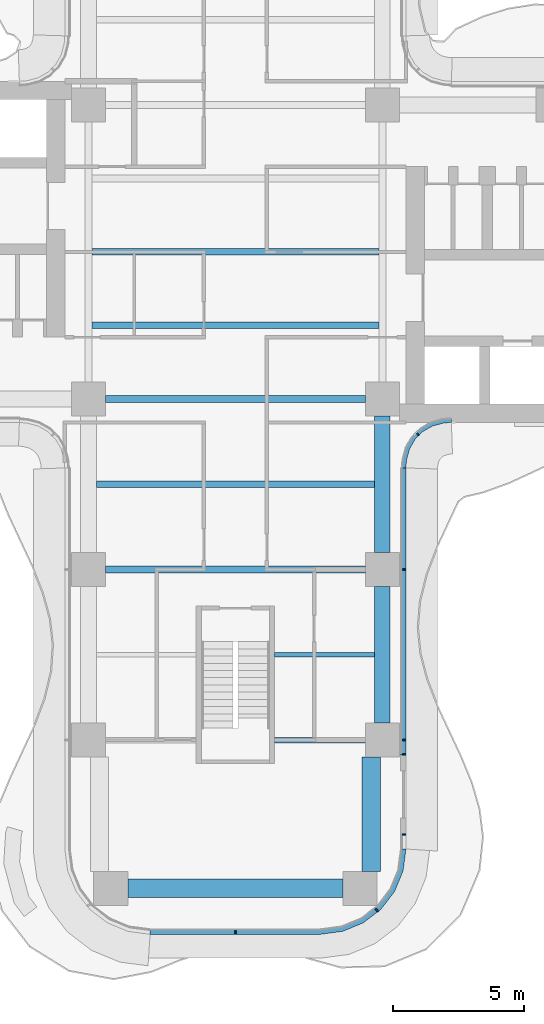
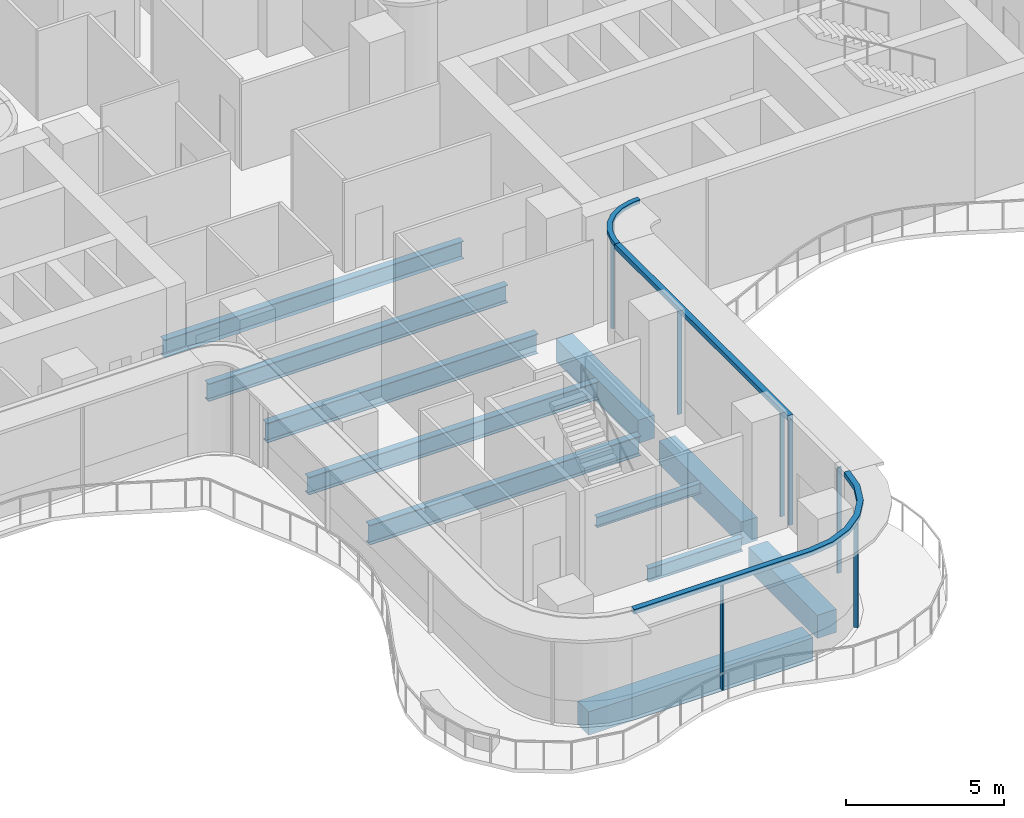
# One storey, part 5 of 21: 11 beams, 10 members, 4 elements without a shape of their own.
"""IFC4 building model written with IfcOpenShell, lengths in metres."""

from ifc_helpers import new_model, si_unit, direction, frame, origin, origin_2d, place, context, subcontext, project, spatial, polyline, rectangle, i_section, outline, extrude, source, transform, mapped, material, layer, layer_set, material_profile, profile_set, type_object, element, aggregate, save


model = new_model("IFC4")

# Units and contexts
model_context = context("Model", 3, precision=1e-05, world=origin(), true_north=direction((0.0, 1.0)))
body_context = subcontext(model_context, "Body", "Model", "MODEL_VIEW")
ifc_project = project(units=[si_unit("LENGTHUNIT", "METRE"), si_unit("AREAUNIT", "SQUARE_METRE"), si_unit("VOLUMEUNIT", "CUBIC_METRE"), si_unit("PLANEANGLEUNIT", "RADIAN"), si_unit("MASSUNIT", "GRAM", prefix="KILO")], contexts=[model_context])

# Site, building, storey
site_placement = place(None, origin())
site = spatial("IfcSite", under=ifc_project, at=site_placement, CompositionType="ELEMENT")
building_placement = place(site_placement, origin())
building = spatial("IfcBuilding", under=site, at=building_placement, Name="Trellis Farm Tower", CompositionType="ELEMENT")
storey_placement = place(building_placement, frame((0.0, 0.0, 138.0)))
storey = spatial("IfcBuildingStorey", under=building, at=storey_placement, Name="L29", CompositionType="ELEMENT", Elevation=138.0)

# Beams
ifc_material_1 = material(Name="Steel S355", Category="steel")
ifc_material_profile_1 = material_profile(ifc_material_1, i_section(OverallWidth=0.253662109375, OverallDepth=0.68359375, WebThickness=0.012451171875, FlangeThickness=0.021728515625, FilletRadius=0.01513671875, at=origin_2d()), Name="UB 686x254x140")
ifc_profile_set_1 = profile_set([ifc_material_profile_1], Name="Steel S355")
beam_type_1 = type_object("IfcBeamType", Name="UB 686x254x140 joist", PredefinedType="JOIST", material=ifc_profile_set_1)
shared_shape_1 = source(origin(), body_context, "Body", "SweptSolid", [
    extrude(i_section(OverallWidth=0.253662109375, OverallDepth=0.68359375, WebThickness=0.012451171875, FlangeThickness=0.021728515625, FilletRadius=0.01513671875, at=origin_2d()), origin(), (0.0, 0.0, 1.0), 10.93310546875),
])
for number, where, z_axis, x_axis, name in (
    (1, (-5.466552734375, -2.800048828125, -0.591796875), (1.0, 0.0, 0.0), (0.0, 1.0, 0.0), "Floor beam"),
    (2, (-5.466552734375, 0.0, -0.591796875), (1.0, 0.0, 0.0), (0.0, 1.0, 0.0), "Floor beam"),
):
    element("IfcBeam", number, at=place(storey_placement, frame(where, z_axis=z_axis, x_axis=x_axis)), inside=storey, type_object=beam_type_1, Name=name, PredefinedType="JOIST", context=body_context, shape_type="MappedRepresentation", body=[
        mapped(shared_shape_1, transform((0.0, 0.0, 0.0))),
    ])
ifc_material_profile_2 = material_profile(ifc_material_1, i_section(OverallWidth=0.177978515625, OverallDepth=0.406494140625, WebThickness=0.0078125, FlangeThickness=0.0126953125, FilletRadius=0.01025390625, at=origin_2d()), Name="UB 406x178x60")
ifc_profile_set_2 = profile_set([ifc_material_profile_2], Name="Steel S355")
beam_type_2 = type_object("IfcBeamType", Name="UB 406x178x60 joist", PredefinedType="JOIST", material=ifc_profile_set_2)
shared_shape_2 = source(origin(), body_context, "Body", "SweptSolid", [
    extrude(i_section(OverallWidth=0.177978515625, OverallDepth=0.406494140625, WebThickness=0.0078125, FlangeThickness=0.0126953125, FilletRadius=0.01025390625, at=origin_2d()), origin(), (0.0, 0.0, 1.0), 3.800048828125),
])
beam_1_placement = place(storey_placement, frame((1.5, -15.35009765625, -0.453125), z_axis=(1.0, 0.0, 0.0), x_axis=(0.0, 1.0, 0.0)))
element("IfcBeam", 3, at=beam_1_placement, inside=storey, type_object=beam_type_2, Name="Floor beam", PredefinedType="JOIST", context=body_context, shape_type="MappedRepresentation", body=[
    mapped(shared_shape_2, transform((0.0, 0.0, 0.0))),
])
shared_shape_3 = source(origin(), body_context, "Body", "SweptSolid", [
    extrude(i_section(OverallWidth=0.253662109375, OverallDepth=0.68359375, WebThickness=0.012451171875, FlangeThickness=0.021728515625, FilletRadius=0.01513671875, at=origin_2d()), origin(), (0.0, 0.0, 1.0), 10.60009765625),
])
beam_2_placement = place(storey_placement, frame((-5.300048828125, -8.85009765625, -0.591796875), z_axis=(1.0, 0.0, 0.0), x_axis=(0.0, 1.0, 0.0)))
element("IfcBeam", 4, at=beam_2_placement, inside=storey, type_object=beam_type_1, Name="Floor beam", PredefinedType="JOIST", context=body_context, shape_type="MappedRepresentation", body=[
    mapped(shared_shape_3, transform((0.0, 0.0, 0.0))),
])
ifc_material_profile_3 = material_profile(ifc_material_1, i_section(OverallWidth=0.209228515625, OverallDepth=0.533203125, WebThickness=0.010009765625, FlangeThickness=0.015625, FilletRadius=0.0126953125, at=origin_2d()), Name="UB 533x210x92")
ifc_profile_set_3 = profile_set([ifc_material_profile_3], Name="Steel S355")
beam_type_3 = type_object("IfcBeamType", Name="UB 533x210x92", PredefinedType="BEAM", material=ifc_profile_set_3)
shared_shape_4 = source(origin(), body_context, "Body", "SweptSolid", [
    extrude(i_section(OverallWidth=0.209228515625, OverallDepth=0.533203125, WebThickness=0.010009765625, FlangeThickness=0.015625, FilletRadius=0.0126953125, at=origin_2d()), origin(), (0.0, 0.0, 1.0), 3.449951171875),
])
beam_3_placement = place(storey_placement, frame((1.5, -18.60009765625, -0.5166015625), z_axis=(1.0, 0.0, 0.0), x_axis=(0.0, 1.0, 0.0)))
element("IfcBeam", 5, at=beam_3_placement, inside=storey, type_object=beam_type_3, Name="Girder", PredefinedType="BEAM", context=body_context, shape_type="MappedRepresentation", body=[
    mapped(shared_shape_4, transform((0.0, 0.0, 0.0))),
])
ifc_material_profile_4 = material_profile(ifc_material_1, i_section(OverallWidth=0.2666015625, OverallDepth=0.76220703125, WebThickness=0.014404296875, FlangeThickness=0.021484375, FilletRadius=0.0166015625, at=origin_2d()), Name="UB 762x267x173")
ifc_profile_set_4 = profile_set([ifc_material_profile_4], Name="Steel S355")
beam_type_4 = type_object("IfcBeamType", Name="UB 762x267x173", PredefinedType="BEAM", material=ifc_profile_set_4)
shared_shape_5 = source(origin(), body_context, "Body", "SweptSolid", [
    extrude(i_section(OverallWidth=0.2666015625, OverallDepth=0.76220703125, WebThickness=0.014404296875, FlangeThickness=0.021484375, FilletRadius=0.0166015625, at=origin_2d()), origin(), (0.0, 0.0, 1.0), 9.89990234375),
])
for number, where, z_axis, x_axis, name in (
    (6, (-4.949951171875, -12.10009765625, -0.631103515625), (1.0, 0.0, 0.0), (0.0, 1.0, 0.0), "Girder"),
    (7, (-4.949951171875, -5.60009765625, -0.631103515625), (1.0, 0.0, 0.0), (0.0, 1.0, 0.0), "Girder"),
):
    element("IfcBeam", number, at=place(storey_placement, frame(where, z_axis=z_axis, x_axis=x_axis)), inside=storey, type_object=beam_type_4, Name=name, PredefinedType="BEAM", context=body_context, shape_type="MappedRepresentation", body=[
        mapped(shared_shape_5, transform((0.0, 0.0, 0.0))),
    ])
ifc_material_2 = material(Name="Concrete C60/75", Category="concrete")
ifc_material_profile_5 = material_profile(ifc_material_2, rectangle(XDim=0.60009765625, YDim=0.89990234375, at=origin_2d()), Name="RC spandrel beam 600x900 C60/75")
ifc_profile_set_5 = profile_set([ifc_material_profile_5], Name="Concrete C60/75")
beam_type_5 = type_object("IfcBeamType", Name="RC spandrel beam 600x900 C60/75", PredefinedType="SPANDREL", material=ifc_profile_set_5)
shared_shape_6 = source(origin(), body_context, "Body", "SweptSolid", [
    extrude(rectangle(XDim=0.60009765625, YDim=0.89990234375, at=origin_2d()), origin(), (0.0, 0.0, 1.0), 5.199951171875),
])
for number, where, z_axis, x_axis, name in (
    (8, (5.60009765625, -17.949951171875, -0.699951171875), (0.0, 1.0, 0.0), (-1.0, 0.0, 0.0), "Girder"),
    (9, (5.60009765625, -11.449951171875, -0.699951171875), (0.0, 1.0, 0.0), (-1.0, 0.0, 0.0), "Girder"),
):
    element("IfcBeam", number, at=place(storey_placement, frame(where, z_axis=z_axis, x_axis=x_axis)), inside=storey, type_object=beam_type_5, Name=name, PredefinedType="SPANDREL", context=body_context, shape_type="MappedRepresentation", body=[
        mapped(shared_shape_6, transform((0.0, 0.0, 0.0))),
    ])
ifc_material_profile_6 = material_profile(ifc_material_2, rectangle(XDim=0.699951171875, YDim=0.89990234375, at=origin_2d()), Name="RC spandrel beam 700x900 C60/75")
ifc_profile_set_6 = profile_set([ifc_material_profile_6], Name="Concrete C60/75")
beam_type_6 = type_object("IfcBeamType", Name="RC spandrel beam 700x900 C60/75", PredefinedType="SPANDREL", material=ifc_profile_set_6)
shared_shape_7 = source(origin(), body_context, "Body", "SweptSolid", [
    extrude(rectangle(XDim=0.699951171875, YDim=0.89990234375, at=origin_2d()), origin(), (0.0, 0.0, 1.0), 4.35009765625),
])
beam_4_placement = place(storey_placement, frame((5.175048828125, -23.60009765625, -0.699951171875), z_axis=(0.0, 1.0, 0.0), x_axis=(-1.0, 0.0, 0.0)))
element("IfcBeam", 10, at=beam_4_placement, inside=storey, type_object=beam_type_6, Name="Girder", PredefinedType="SPANDREL", context=body_context, shape_type="MappedRepresentation", body=[
    mapped(shared_shape_7, transform((0.0, 0.0, 0.0))),
])
shared_shape_8 = source(origin(), body_context, "Body", "SweptSolid", [
    extrude(rectangle(XDim=0.699951171875, YDim=0.89990234375, at=origin_2d()), origin(), (0.0, 0.0, 1.0), 8.2001953125),
])
beam_5_placement = place(storey_placement, frame((-4.10009765625, -24.25, -0.699951171875), z_axis=(1.0, 0.0, 0.0), x_axis=(0.0, 1.0, 0.0)))
element("IfcBeam", 11, at=beam_5_placement, inside=storey, type_object=beam_type_6, Name="Girder", PredefinedType="SPANDREL", context=body_context, shape_type="MappedRepresentation", body=[
    mapped(shared_shape_8, transform((0.0, 0.0, 0.0))),
])

# Curtain wall, members
ifc_material_3 = material(Name="Aluminium and glass curtain wall", Category="aluminium")
ifc_layer_1 = layer(ifc_material_3, 0.18994140625)
ifc_layer_set_1 = layer_set([ifc_layer_1], Name="RIBBON CURTAIN WALL CW1")
curtain_wall_type_1 = type_object("IfcCurtainWallType", Name="RIBBON CURTAIN WALL CW1", PredefinedType="NOTDEFINED", material=ifc_layer_set_1)
placement_1 = place(storey_placement, origin())
curtain_wall_1 = element("IfcCurtainWall", 12, at=placement_1, inside=storey, type_object=curtain_wall_type_1, Name="CW1 003", PredefinedType="NOTDEFINED")
ifc_material_4 = material(Name="Aluminium extrusion 6063-T6", Category="aluminium")
ifc_material_profile_7 = material_profile(ifc_material_4, rectangle(XDim=0.06005859375, YDim=0.14990234375, at=origin_2d()), Name="MULLION 60x150")
ifc_profile_set_7 = profile_set([ifc_material_profile_7], Name="Aluminium extrusion 6063-T6")
member_type_1 = type_object("IfcMemberType", Name="CW1 MULLION 60x150", PredefinedType="MULLION", material=ifc_profile_set_7)
shared_shape_9 = source(origin(), body_context, "Body", "SweptSolid", [
    extrude(rectangle(XDim=0.06005859375, YDim=0.14990234375, at=origin_2d()), origin(), (0.0, 0.0, 1.0), 4.070068359375),
])
member_1_placement = place(storey_placement, frame((0.0, -25.925048828125, 0.0), z_axis=(0.0, 0.0, 1.0), x_axis=(1.0, 0.0, 0.0)))
member_1 = element("IfcMember", 13, at=member_1_placement, type_object=member_type_1, Name="MU1 003-01", PredefinedType="MULLION", context=body_context, shape_type="MappedRepresentation", body=[
    mapped(shared_shape_9, transform((0.0, 0.0, 0.0))),
])
member_2_placement = place(storey_placement, frame((5.385498046875, -25.078369140625, 0.0), z_axis=(0.0, 0.0, 1.0), x_axis=(0.793353340291, 0.608761429009, 0.0)))
member_2 = element("IfcMember", 14, at=member_2_placement, type_object=member_type_1, Name="MU1 003-02", PredefinedType="MULLION", context=body_context, shape_type="MappedRepresentation", body=[
    mapped(shared_shape_9, transform((0.0, 0.0, 0.0))),
])

# Curtain wall, member
curtain_wall_2 = element("IfcCurtainWall", 15, at=placement_1, inside=storey, type_object=curtain_wall_type_1, Name="CW1 004", PredefinedType="NOTDEFINED")
member_3_placement = place(storey_placement, frame((6.425048828125, -22.205078125, 0.0), z_axis=(0.0, 0.0, 1.0), x_axis=(0.0, 1.0, 0.0)))
member_3 = element("IfcMember", 16, at=member_3_placement, type_object=member_type_1, Name="MU1 004-01", PredefinedType="MULLION", context=body_context, shape_type="MappedRepresentation", body=[
    mapped(shared_shape_9, transform((0.0, 0.0, 0.0))),
])
aggregate(curtain_wall_2, [member_3])

# Curtain wall, members
curtain_wall_3 = element("IfcCurtainWall", 17, at=placement_1, inside=storey, type_object=curtain_wall_type_1, Name="CW1 005", PredefinedType="NOTDEFINED")
member_4_placement = place(storey_placement, frame((6.425048828125, -19.14501953125, 0.0), z_axis=(0.0, 0.0, 1.0), x_axis=(0.0, 1.0, 0.0)))
member_4 = element("IfcMember", 18, at=member_4_placement, type_object=member_type_1, Name="MU1 005-01", PredefinedType="MULLION", context=body_context, shape_type="MappedRepresentation", body=[
    mapped(shared_shape_9, transform((0.0, 0.0, 0.0))),
])
member_5_placement = place(storey_placement, frame((6.425048828125, -18.60009765625, 0.0), z_axis=(0.0, 0.0, 1.0), x_axis=(0.0, 1.0, 0.0)))
member_5 = element("IfcMember", 19, at=member_5_placement, type_object=member_type_1, Name="MU1 005-02", PredefinedType="MULLION", context=body_context, shape_type="MappedRepresentation", body=[
    mapped(shared_shape_9, transform((0.0, 0.0, 0.0))),
])
member_6_placement = place(storey_placement, frame((6.425048828125, -12.10009765625, 0.0), z_axis=(0.0, 0.0, 1.0), x_axis=(0.0, 1.0, 0.0)))
member_6 = element("IfcMember", 20, at=member_6_placement, type_object=member_type_1, Name="MU1 005-03", PredefinedType="MULLION", context=body_context, shape_type="MappedRepresentation", body=[
    mapped(shared_shape_9, transform((0.0, 0.0, 0.0))),
])

ifc_layer_2 = layer(ifc_material_3, 0.166015625)
ifc_layer_set_2 = layer_set([ifc_layer_2], Name="WINTER GARDEN CURTAIN WALL CW3")
curtain_wall_type_2 = type_object("IfcCurtainWallType", Name="WINTER GARDEN CURTAIN WALL CW3", PredefinedType="NOTDEFINED", material=ifc_layer_set_2)
curtain_wall_4 = element("IfcCurtainWall", 21, at=placement_1, inside=storey, type_object=curtain_wall_type_2, Name="CW3 002", PredefinedType="NOTDEFINED")
ifc_material_profile_8 = material_profile(ifc_material_4, rectangle(XDim=0.050048828125, YDim=0.1201171875, at=origin_2d()), Name="MULLION 50x120")
ifc_profile_set_8 = profile_set([ifc_material_profile_8], Name="Aluminium extrusion 6063-T6")
member_type_2 = type_object("IfcMemberType", Name="CW3 MULLION 50x120", PredefinedType="MULLION", material=ifc_profile_set_8)
shared_shape_10 = source(origin(), body_context, "Body", "SweptSolid", [
    extrude(rectangle(XDim=0.050048828125, YDim=0.1201171875, at=origin_2d()), origin(), (0.0, 0.0, 1.0), 4.10009765625),
])
member_7_placement = place(storey_placement, frame((6.953125, -6.953125, 0.0), z_axis=(0.0, 0.0, 1.0), x_axis=(0.707106781187, 0.707106781187, 0.0)))
member_7 = element("IfcMember", 22, at=member_7_placement, type_object=member_type_2, Name="MU3 002-01", PredefinedType="MULLION", context=body_context, shape_type="MappedRepresentation", body=[
    mapped(shared_shape_10, transform((0.0, 0.0, 0.0))),
])
ifc_layer_3 = layer(ifc_material_4, 0.169921875)
ifc_layer_set_3 = layer_set([ifc_layer_3], Name="Aluminium extrusion 6063-T6")
member_type_3 = type_object("IfcMemberType", Name="CW3 TRANSOM 170x150", PredefinedType="USERDEFINED", material=ifc_layer_set_3)
shared_shape_11 = source(origin(), body_context, "Body", "SweptSolid", [
    extrude(outline(polyline([(6.5, -8.2314453125), (6.513916015625, -8.01953125), (6.527587890625, -7.91552734375), (6.63671875, -7.508544921875), (6.846923828125, -7.144287109375), (7.144287109375, -6.846923828125), (7.508544921875, -6.63671875), (7.91552734375, -6.527587890625), (8.01953125, -6.513916015625), (8.2314453125, -6.5), (8.225830078125, -6.330078125), (8.0029296875, -6.3447265625), (7.88232421875, -6.360595703125), (7.44287109375, -6.478271484375), (7.0400390625, -6.7109375), (6.7109375, -7.0400390625), (6.478271484375, -7.44287109375), (6.360595703125, -7.88232421875), (6.3447265625, -8.0029296875), (6.330078125, -8.225830078125), (6.5, -8.2314453125)])), origin(), (0.0, 0.0, 1.0), 0.14990234375),
])
member_8_placement = place(storey_placement, frame((0.0, 0.0, 4.10009765625)))
member_8 = element("IfcMember", 23, at=member_8_placement, type_object=member_type_3, Name="TR3 002", ObjectType="TRANSOM", PredefinedType="USERDEFINED", context=body_context, shape_type="MappedRepresentation", body=[
    mapped(shared_shape_11, transform((0.0, 0.0, 0.0))),
])
aggregate(curtain_wall_4, [member_7, member_8])

# Member
ifc_layer_4 = layer(ifc_material_4, 0.199951171875)
ifc_layer_set_4 = layer_set([ifc_layer_4], Name="Aluminium extrusion 6063-T6")
member_type_4 = type_object("IfcMemberType", Name="CW1 TRANSOM 200x180", PredefinedType="USERDEFINED", material=ifc_layer_set_4)
shared_shape_12 = source(origin(), body_context, "Body", "SweptSolid", [
    extrude(outline(polyline([(-3.25, -26.0), (3.25, -26.0), (4.091064453125, -25.88916015625), (4.875, -25.564697265625), (5.548095703125, -25.048095703125), (6.064697265625, -24.375), (6.38916015625, -23.591064453125), (6.5, -22.75), (6.300048828125, -22.73681640625), (6.1943359375, -23.5390625), (5.889892578125, -24.274169921875), (5.405517578125, -24.905517578125), (4.774169921875, -25.389892578125), (4.0390625, -25.6943359375), (3.23681640625, -25.800048828125), (-3.23681640625, -25.800048828125), (-3.25, -26.0)])), origin(), (0.0, 0.0, 1.0), 0.179931640625),
])
placement_2 = place(storey_placement, frame((0.0, 0.0, 4.070068359375)))
member_9 = element("IfcMember", 24, at=placement_2, type_object=member_type_4, Name="TR1 003", ObjectType="TRANSOM", PredefinedType="USERDEFINED", context=body_context, shape_type="MappedRepresentation", body=[
    mapped(shared_shape_12, transform((0.0, 0.0, 0.0))),
])

aggregate(curtain_wall_1, [member_1, member_2, member_9])

shared_shape_13 = source(origin(), body_context, "Body", "SweptSolid", [
    extrude(outline(polyline([(6.5, -19.175048828125), (6.5, -8.2314453125), (6.300048828125, -8.224853515625), (6.300048828125, -19.175048828125), (6.5, -19.175048828125)])), origin(), (0.0, 0.0, 1.0), 0.179931640625),
])
member_10 = element("IfcMember", 25, at=placement_2, type_object=member_type_4, Name="TR1 005", ObjectType="TRANSOM", PredefinedType="USERDEFINED", context=body_context, shape_type="MappedRepresentation", body=[
    mapped(shared_shape_13, transform((0.0, 0.0, 0.0))),
])

aggregate(curtain_wall_3, [member_4, member_5, member_6, member_10])

save(model, "model.ifc")
